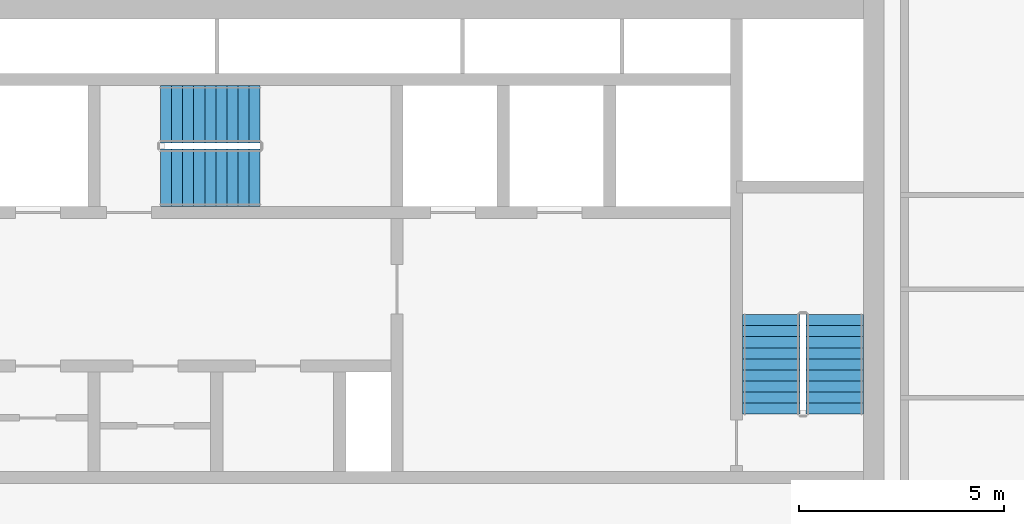
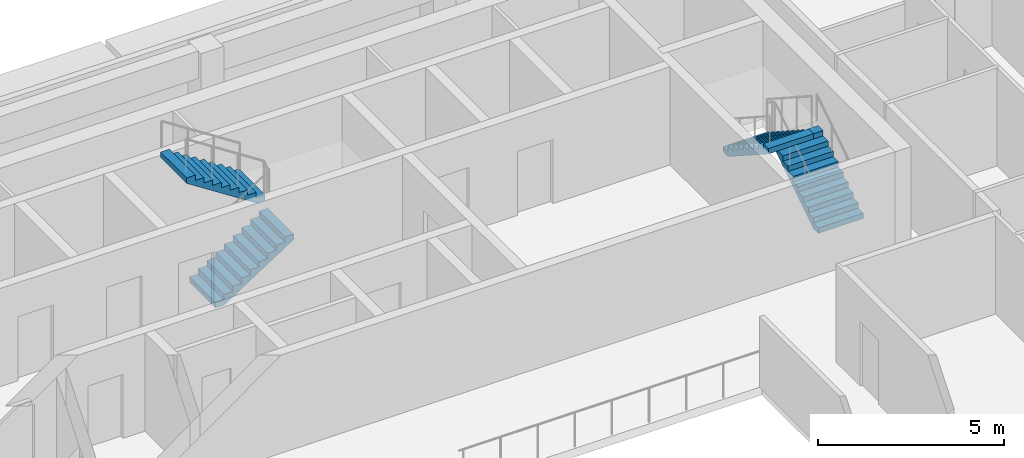
# One storey, part 12 of 19: 4 stair flights, 2 elements without a shape of their own.
"""IFC4 building model written with IfcOpenShell, lengths in metres."""

from ifc_helpers import new_model, si_unit, direction, frame, origin, place, context, subcontext, project, spatial, polyline, outline, extrude, material, layer, layer_set, type_object, element, aggregate, save


model = new_model("IFC4")

# Units and contexts
model_context = context("Model", 3, precision=1e-05, world=origin(), true_north=direction((0.0, 1.0)))
body_context = subcontext(model_context, "Body", "Model", "MODEL_VIEW")
ifc_project = project(units=[si_unit("LENGTHUNIT", "METRE"), si_unit("AREAUNIT", "SQUARE_METRE"), si_unit("VOLUMEUNIT", "CUBIC_METRE"), si_unit("PLANEANGLEUNIT", "RADIAN"), si_unit("MASSUNIT", "GRAM", prefix="KILO")], contexts=[model_context])

# Site, building, storey
site_placement = place(None, origin())
site = spatial("IfcSite", under=ifc_project, at=site_placement, CompositionType="ELEMENT")
building_placement = place(site_placement, origin())
building = spatial("IfcBuilding", under=site, at=building_placement, Name="Saffron Iwan Residences", CompositionType="ELEMENT")
storey_placement = place(building_placement, frame((0.0, 0.0, 215.0)))
storey = spatial("IfcBuildingStorey", under=building, at=storey_placement, Name="L57", CompositionType="ELEMENT", Elevation=215.0)

# Stair, stair flights
ifc_material = material(Name="Concrete C50/60", Category="concrete")
stair_type = type_object("IfcStairType", Name="Stair ST-CORE", PredefinedType="HALF_TURN_STAIR", material=ifc_material)
stair_1_placement = place(storey_placement, origin())
stair_1 = element("IfcStair", 1, at=stair_1_placement, inside=storey, type_object=stair_type, Name="L57 Exit Stair ST-C", PredefinedType="HALF_TURN_STAIR")
ifc_layer = layer(ifc_material, 0.14990234375)
ifc_layer_set = layer_set([ifc_layer], Name="Concrete C50/60")
stair_flight_type = type_object("IfcStairFlightType", Name="Stair flight SFL-RC", PredefinedType="STRAIGHT", material=ifc_layer_set)
stair_flight_1_placement = place(storey_placement, frame((53.925048828125, 73.625, 0.0), z_axis=(0.0, 0.0, 1.0), x_axis=(1.0, 0.0, 0.0)))
stair_flight_1 = element("IfcStairFlight", 2, at=stair_flight_1_placement, type_object=stair_flight_type, Name="ST-C flight 1", NumberOfRisers=10, NumberOfTreads=9, PredefinedType="STRAIGHT", RiserHeight=0.175, TreadLength=0.27, context=body_context, shape_type="SweptSolid", body=[
    extrude(outline(polyline([(0.0, 0.0), (0.0, 0.175048828125), (0.27001953125, 0.175048828125), (0.27001953125, 0.35009765625), (0.5400390625, 0.35009765625), (0.5400390625, 0.52490234375), (0.81005859375, 0.52490234375), (0.81005859375, 0.699951171875), (1.080078125, 0.699951171875), (1.080078125, 0.875), (1.35009765625, 0.875), (1.35009765625, 1.050048828125), (1.6201171875, 1.050048828125), (1.6201171875, 1.22509765625), (1.889892578125, 1.22509765625), (1.889892578125, 1.39990234375), (2.159912109375, 1.39990234375), (2.159912109375, 1.574951171875), (2.429931640625, 1.574951171875), (2.429931640625, 1.75), (2.429931640625, 1.396484375), (0.275634765625, 0.0), (0.0, 0.0)])), frame((0.0, 0.699951171875, 0.0), z_axis=(0.0, -1.0, 0.0), x_axis=(1.0, 0.0, 0.0)), (0.0, 0.0, 1.0), 1.39990234375),
])
stair_flight_2_placement = place(storey_placement, frame((56.35498046875, 75.175048828125, 1.75), z_axis=(0.0, 0.0, 1.0), x_axis=(-1.0, 0.0, 0.0)))
stair_flight_2 = element("IfcStairFlight", 3, at=stair_flight_2_placement, type_object=stair_flight_type, Name="ST-C flight 2", NumberOfRisers=10, NumberOfTreads=9, PredefinedType="STRAIGHT", RiserHeight=0.175, TreadLength=0.27, context=body_context, shape_type="SweptSolid", body=[
    extrude(outline(polyline([(0.0, 0.0), (0.0, 0.175048828125), (0.27001953125, 0.175048828125), (0.27001953125, 0.35009765625), (0.5400390625, 0.35009765625), (0.5400390625, 0.52490234375), (0.81005859375, 0.52490234375), (0.81005859375, 0.699951171875), (1.080078125, 0.699951171875), (1.080078125, 0.875), (1.35009765625, 0.875), (1.35009765625, 1.050048828125), (1.6201171875, 1.050048828125), (1.6201171875, 1.22509765625), (1.889892578125, 1.22509765625), (1.889892578125, 1.39990234375), (2.159912109375, 1.39990234375), (2.159912109375, 1.574951171875), (2.429931640625, 1.574951171875), (2.429931640625, 1.75), (2.429931640625, 1.396484375), (0.275634765625, 0.0), (0.0, 0.0)])), frame((0.0, 0.699951171875, 0.0), z_axis=(0.0, -1.0, 0.0), x_axis=(1.0, 0.0, 0.0)), (0.0, 0.0, 1.0), 1.39990234375),
])
aggregate(stair_1, [stair_flight_1, stair_flight_2])

stair_2_placement = place(storey_placement, origin())
stair_2 = element("IfcStair", 4, at=stair_2_placement, inside=storey, type_object=stair_type, Name="L57 Exit Stair ST-E", PredefinedType="HALF_TURN_STAIR")
stair_flight_3_placement = place(storey_placement, frame((70.39990234375, 67.85009765625, 0.0), z_axis=(0.0, 0.0, 1.0), x_axis=(0.0, 1.0, 0.0)))
stair_flight_3 = element("IfcStairFlight", 5, at=stair_flight_3_placement, type_object=stair_flight_type, Name="ST-E flight 1", NumberOfRisers=10, NumberOfTreads=9, PredefinedType="STRAIGHT", RiserHeight=0.175, TreadLength=0.27, context=body_context, shape_type="SweptSolid", body=[
    extrude(outline(polyline([(0.0, 0.0), (0.0, 0.175048828125), (0.27001953125, 0.175048828125), (0.27001953125, 0.35009765625), (0.5400390625, 0.35009765625), (0.5400390625, 0.52490234375), (0.81005859375, 0.52490234375), (0.81005859375, 0.699951171875), (1.080078125, 0.699951171875), (1.080078125, 0.875), (1.35009765625, 0.875), (1.35009765625, 1.050048828125), (1.6201171875, 1.050048828125), (1.6201171875, 1.22509765625), (1.889892578125, 1.22509765625), (1.889892578125, 1.39990234375), (2.159912109375, 1.39990234375), (2.159912109375, 1.574951171875), (2.429931640625, 1.574951171875), (2.429931640625, 1.75), (2.429931640625, 1.396484375), (0.275634765625, 0.0), (0.0, 0.0)])), frame((0.0, 0.699951171875, 0.0), z_axis=(0.0, -1.0, 0.0), x_axis=(1.0, 0.0, 0.0)), (0.0, 0.0, 1.0), 1.39990234375),
])
stair_flight_4_placement = place(storey_placement, frame((68.85009765625, 70.280029296875, 1.75), z_axis=(0.0, 0.0, 1.0), x_axis=(0.0, -1.0, 0.0)))
stair_flight_4 = element("IfcStairFlight", 6, at=stair_flight_4_placement, type_object=stair_flight_type, Name="ST-E flight 2", NumberOfRisers=10, NumberOfTreads=9, PredefinedType="STRAIGHT", RiserHeight=0.175, TreadLength=0.27, context=body_context, shape_type="SweptSolid", body=[
    extrude(outline(polyline([(0.0, 0.0), (0.0, 0.175048828125), (0.27001953125, 0.175048828125), (0.27001953125, 0.35009765625), (0.5400390625, 0.35009765625), (0.5400390625, 0.52490234375), (0.81005859375, 0.52490234375), (0.81005859375, 0.699951171875), (1.080078125, 0.699951171875), (1.080078125, 0.875), (1.35009765625, 0.875), (1.35009765625, 1.050048828125), (1.6201171875, 1.050048828125), (1.6201171875, 1.22509765625), (1.889892578125, 1.22509765625), (1.889892578125, 1.39990234375), (2.159912109375, 1.39990234375), (2.159912109375, 1.574951171875), (2.429931640625, 1.574951171875), (2.429931640625, 1.75), (2.429931640625, 1.396484375), (0.275634765625, 0.0), (0.0, 0.0)])), frame((0.0, 0.699951171875, 0.0), z_axis=(0.0, -1.0, 0.0), x_axis=(1.0, 0.0, 0.0)), (0.0, 0.0, 1.0), 1.39990234375),
])
aggregate(stair_2, [stair_flight_3, stair_flight_4])

save(model, "model.ifc")
